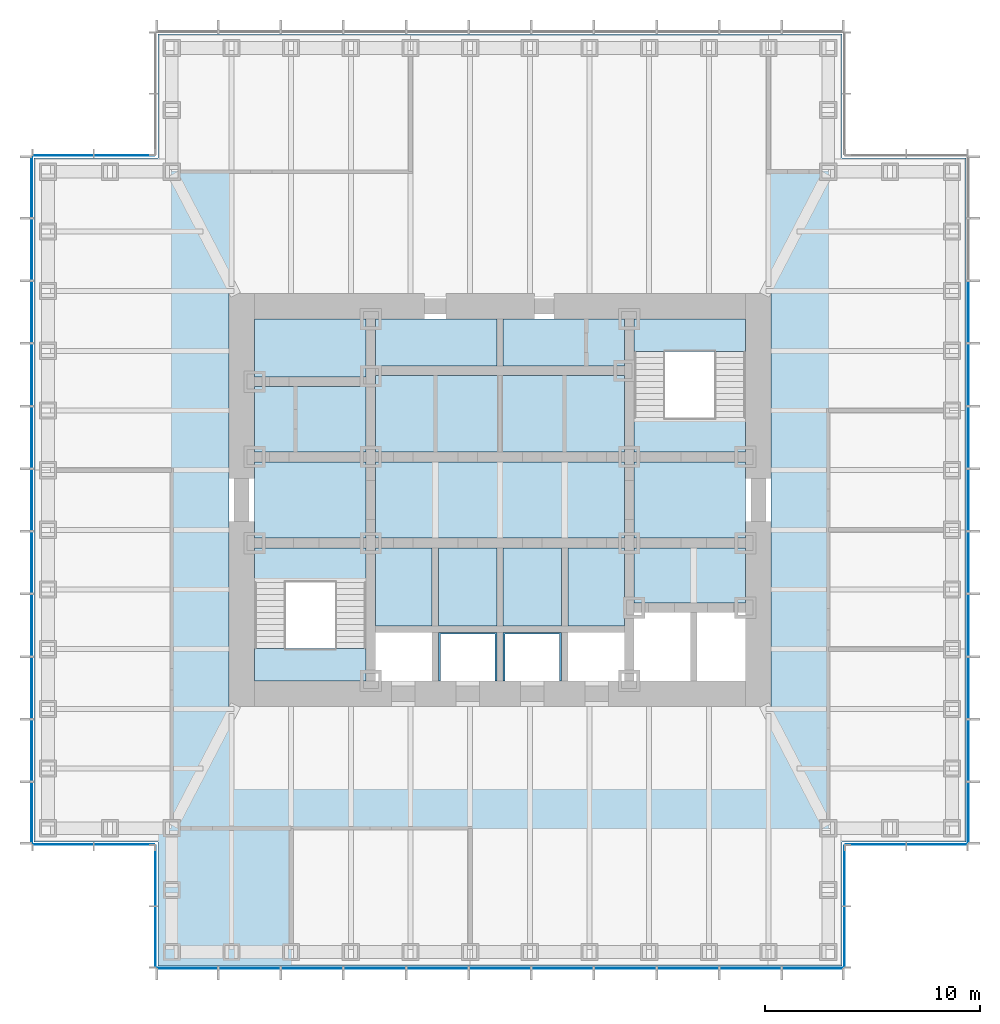
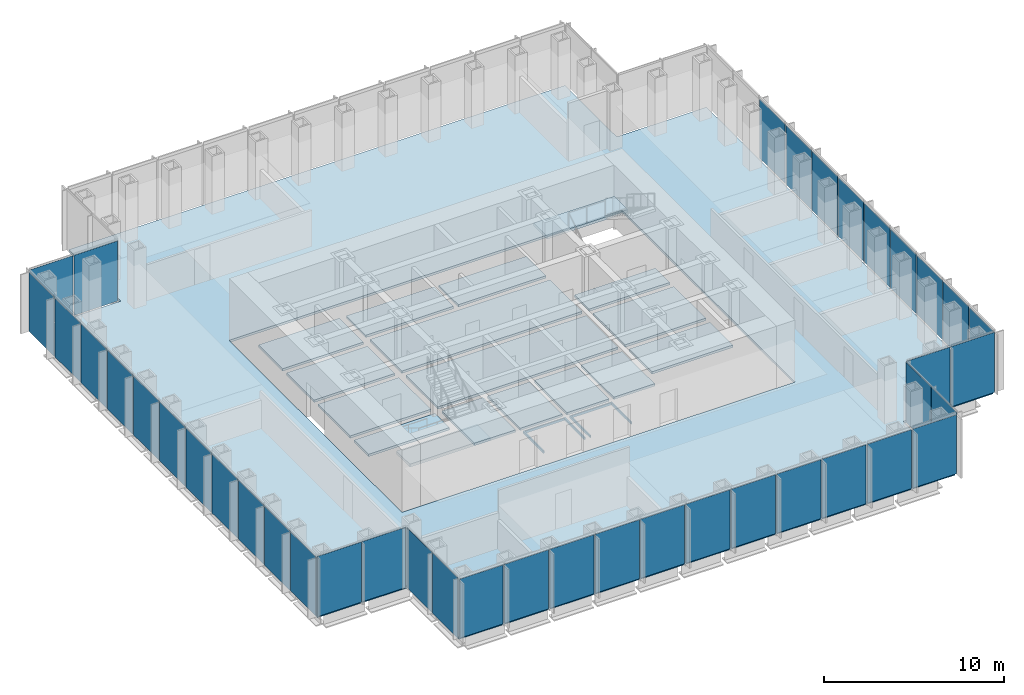
# One storey, part 7 of 16: 41 plates, 20 slabs, 10 elements without a shape of their own.
"""IFC4 building model written with IfcOpenShell, lengths in metres."""

from ifc_helpers import new_model, si_unit, direction, frame, origin, origin_2d, place, context, subcontext, project, spatial, polyline, rectangle, outline, extrude, material, layer, layer_set, type_object, element, aggregate, save


model = new_model("IFC4")

# Units and contexts
model_context = context("Model", 3, precision=1e-05, world=origin(), true_north=direction((0.0, 1.0)))
body_context = subcontext(model_context, "Body", "Model", "MODEL_VIEW")
ifc_project = project(units=[si_unit("LENGTHUNIT", "METRE"), si_unit("AREAUNIT", "SQUARE_METRE"), si_unit("VOLUMEUNIT", "CUBIC_METRE"), si_unit("PLANEANGLEUNIT", "RADIAN"), si_unit("MASSUNIT", "GRAM", prefix="KILO")], contexts=[model_context])

# Site, building, storey
site_placement = place(None, origin())
site = spatial("IfcSite", under=ifc_project, at=site_placement, CompositionType="ELEMENT")
building_placement = place(site_placement, origin())
building = spatial("IfcBuilding", under=site, at=building_placement, Name="Daluyong Arena Tower", CompositionType="ELEMENT")
storey_placement = place(building_placement, frame((0.0, 0.0, 275.5)))
storey = spatial("IfcBuildingStorey", under=building, at=storey_placement, Name="L62", CompositionType="ELEMENT", Elevation=275.5)

# Curtain wall, plates
ifc_material_1 = material(Name="Bronze anodised aluminium and glass", Category="aluminium")
curtain_wall_type_1 = type_object("IfcCurtainWallType", Name="Curtain wall CW4", PredefinedType="USERDEFINED", material=ifc_material_1)
curtain_wall_1_placement = place(storey_placement, origin())
curtain_wall_1 = element("IfcCurtainWall", 1, at=curtain_wall_1_placement, inside=storey, type_object=curtain_wall_type_1, Name="curtain wall L62 S", ObjectType="UNITISED CURTAIN WALL", PredefinedType="USERDEFINED")
ifc_material_2 = material(Name="Tinted laminated double glazed unit", Category="glass")
ifc_layer_1 = layer(ifc_material_2, 0.035888671875)
ifc_layer_set_1 = layer_set([ifc_layer_1], Name="Tinted laminated double glazed unit")
plate_type_1 = type_object("IfcPlateType", Name="CW4 panel 36", PredefinedType="CURTAIN_PANEL", material=ifc_layer_set_1)
plate_1_placement = place(storey_placement, frame((41.47705078125, 58.25, 0.0), z_axis=(0.0, 0.0, 1.0), x_axis=(1.0, 0.0, 0.0)))
plate_1 = element("IfcPlate", 2, at=plate_1_placement, type_object=plate_type_1, Name="curtain wall L62 S panel 1", PredefinedType="CURTAIN_PANEL", context=body_context, shape_type="SweptSolid", body=[
    extrude(rectangle(XDim=2.774169921875, YDim=0.035888671875, at=origin_2d()), origin(), (0.0, 0.0, 1.0), 4.0),
])
plate_2_placement = place(storey_placement, frame((44.363525390625, 58.25, 0.0), z_axis=(0.0, 0.0, 1.0), x_axis=(1.0, 0.0, 0.0)))
plate_2 = element("IfcPlate", 3, at=plate_2_placement, type_object=plate_type_1, Name="curtain wall L62 S panel 2", PredefinedType="CURTAIN_PANEL", context=body_context, shape_type="SweptSolid", body=[
    extrude(rectangle(XDim=2.819091796875, YDim=0.035888671875, at=origin_2d()), origin(), (0.0, 0.0, 1.0), 4.0),
])
plate_3_placement = place(storey_placement, frame((47.272705078125, 58.25, 0.0), z_axis=(0.0, 0.0, 1.0), x_axis=(1.0, 0.0, 0.0)))
plate_3 = element("IfcPlate", 4, at=plate_3_placement, type_object=plate_type_1, Name="curtain wall L62 S panel 3", PredefinedType="CURTAIN_PANEL", context=body_context, shape_type="SweptSolid", body=[
    extrude(rectangle(XDim=2.819091796875, YDim=0.035888671875, at=origin_2d()), origin(), (0.0, 0.0, 1.0), 4.0),
])
plate_4_placement = place(storey_placement, frame((50.181884765625, 58.25, 0.0), z_axis=(0.0, 0.0, 1.0), x_axis=(1.0, 0.0, 0.0)))
plate_4 = element("IfcPlate", 5, at=plate_4_placement, type_object=plate_type_1, Name="curtain wall L62 S panel 4", PredefinedType="CURTAIN_PANEL", context=body_context, shape_type="SweptSolid", body=[
    extrude(rectangle(XDim=2.819091796875, YDim=0.035888671875, at=origin_2d()), origin(), (0.0, 0.0, 1.0), 4.0),
])
plate_5_placement = place(storey_placement, frame((53.0908203125, 58.25, 0.0), z_axis=(0.0, 0.0, 1.0), x_axis=(1.0, 0.0, 0.0)))
plate_5 = element("IfcPlate", 6, at=plate_5_placement, type_object=plate_type_1, Name="curtain wall L62 S panel 5", PredefinedType="CURTAIN_PANEL", context=body_context, shape_type="SweptSolid", body=[
    extrude(rectangle(XDim=2.819091796875, YDim=0.035888671875, at=origin_2d()), origin(), (0.0, 0.0, 1.0), 4.0),
])
plate_6_placement = place(storey_placement, frame((56.0, 58.25, 0.0), z_axis=(0.0, 0.0, 1.0), x_axis=(1.0, 0.0, 0.0)))
plate_6 = element("IfcPlate", 7, at=plate_6_placement, type_object=plate_type_1, Name="curtain wall L62 S panel 6", PredefinedType="CURTAIN_PANEL", context=body_context, shape_type="SweptSolid", body=[
    extrude(rectangle(XDim=2.819091796875, YDim=0.035888671875, at=origin_2d()), origin(), (0.0, 0.0, 1.0), 4.0),
])
plate_7_placement = place(storey_placement, frame((58.9091796875, 58.25, 0.0), z_axis=(0.0, 0.0, 1.0), x_axis=(1.0, 0.0, 0.0)))
plate_7 = element("IfcPlate", 8, at=plate_7_placement, type_object=plate_type_1, Name="curtain wall L62 S panel 7", PredefinedType="CURTAIN_PANEL", context=body_context, shape_type="SweptSolid", body=[
    extrude(rectangle(XDim=2.819091796875, YDim=0.035888671875, at=origin_2d()), origin(), (0.0, 0.0, 1.0), 4.0),
])
plate_8_placement = place(storey_placement, frame((61.818115234375, 58.25, 0.0), z_axis=(0.0, 0.0, 1.0), x_axis=(1.0, 0.0, 0.0)))
plate_8 = element("IfcPlate", 9, at=plate_8_placement, type_object=plate_type_1, Name="curtain wall L62 S panel 8", PredefinedType="CURTAIN_PANEL", context=body_context, shape_type="SweptSolid", body=[
    extrude(rectangle(XDim=2.819091796875, YDim=0.035888671875, at=origin_2d()), origin(), (0.0, 0.0, 1.0), 4.0),
])
plate_9_placement = place(storey_placement, frame((64.727294921875, 58.25, 0.0), z_axis=(0.0, 0.0, 1.0), x_axis=(1.0, 0.0, 0.0)))
plate_9 = element("IfcPlate", 10, at=plate_9_placement, type_object=plate_type_1, Name="curtain wall L62 S panel 9", PredefinedType="CURTAIN_PANEL", context=body_context, shape_type="SweptSolid", body=[
    extrude(rectangle(XDim=2.819091796875, YDim=0.035888671875, at=origin_2d()), origin(), (0.0, 0.0, 1.0), 4.0),
])
plate_10_placement = place(storey_placement, frame((67.636474609375, 58.25, 0.0), z_axis=(0.0, 0.0, 1.0), x_axis=(1.0, 0.0, 0.0)))
plate_10 = element("IfcPlate", 11, at=plate_10_placement, type_object=plate_type_1, Name="curtain wall L62 S panel 10", PredefinedType="CURTAIN_PANEL", context=body_context, shape_type="SweptSolid", body=[
    extrude(rectangle(XDim=2.819091796875, YDim=0.035888671875, at=origin_2d()), origin(), (0.0, 0.0, 1.0), 4.0),
])
plate_11_placement = place(storey_placement, frame((70.52294921875, 58.25, 0.0), z_axis=(0.0, 0.0, 1.0), x_axis=(1.0, 0.0, 0.0)))
plate_11 = element("IfcPlate", 12, at=plate_11_placement, type_object=plate_type_1, Name="curtain wall L62 S panel 11", PredefinedType="CURTAIN_PANEL", context=body_context, shape_type="SweptSolid", body=[
    extrude(rectangle(XDim=2.774169921875, YDim=0.035888671875, at=origin_2d()), origin(), (0.0, 0.0, 1.0), 4.0),
])
aggregate(curtain_wall_1, [plate_1, plate_2, plate_3, plate_4, plate_5, plate_6, plate_7, plate_8, plate_9, plate_10, plate_11])

curtain_wall_2_placement = place(storey_placement, origin())
curtain_wall_2 = element("IfcCurtainWall", 13, at=curtain_wall_2_placement, inside=storey, type_object=curtain_wall_type_1, Name="curtain wall L62 E", ObjectType="UNITISED CURTAIN WALL", PredefinedType="USERDEFINED")
plate_12_placement = place(storey_placement, frame((77.75, 65.47705078125, 0.0), z_axis=(0.0, 0.0, 1.0), x_axis=(0.0, 1.0, 0.0)))
plate_12 = element("IfcPlate", 14, at=plate_12_placement, type_object=plate_type_1, Name="curtain wall L62 E panel 1", PredefinedType="CURTAIN_PANEL", context=body_context, shape_type="SweptSolid", body=[
    extrude(rectangle(XDim=2.774169921875, YDim=0.035888671875, at=origin_2d()), origin(), (0.0, 0.0, 1.0), 4.0),
])
plate_13_placement = place(storey_placement, frame((77.75, 68.363525390625, 0.0), z_axis=(0.0, 0.0, 1.0), x_axis=(0.0, 1.0, 0.0)))
plate_13 = element("IfcPlate", 15, at=plate_13_placement, type_object=plate_type_1, Name="curtain wall L62 E panel 2", PredefinedType="CURTAIN_PANEL", context=body_context, shape_type="SweptSolid", body=[
    extrude(rectangle(XDim=2.819091796875, YDim=0.035888671875, at=origin_2d()), origin(), (0.0, 0.0, 1.0), 4.0),
])
plate_14_placement = place(storey_placement, frame((77.75, 71.272705078125, 0.0), z_axis=(0.0, 0.0, 1.0), x_axis=(0.0, 1.0, 0.0)))
plate_14 = element("IfcPlate", 16, at=plate_14_placement, type_object=plate_type_1, Name="curtain wall L62 E panel 3", PredefinedType="CURTAIN_PANEL", context=body_context, shape_type="SweptSolid", body=[
    extrude(rectangle(XDim=2.819091796875, YDim=0.035888671875, at=origin_2d()), origin(), (0.0, 0.0, 1.0), 4.0),
])
plate_15_placement = place(storey_placement, frame((77.75, 74.181884765625, 0.0), z_axis=(0.0, 0.0, 1.0), x_axis=(0.0, 1.0, 0.0)))
plate_15 = element("IfcPlate", 17, at=plate_15_placement, type_object=plate_type_1, Name="curtain wall L62 E panel 4", PredefinedType="CURTAIN_PANEL", context=body_context, shape_type="SweptSolid", body=[
    extrude(rectangle(XDim=2.819091796875, YDim=0.035888671875, at=origin_2d()), origin(), (0.0, 0.0, 1.0), 4.0),
])
plate_16_placement = place(storey_placement, frame((77.75, 77.0908203125, 0.0), z_axis=(0.0, 0.0, 1.0), x_axis=(0.0, 1.0, 0.0)))
plate_16 = element("IfcPlate", 18, at=plate_16_placement, type_object=plate_type_1, Name="curtain wall L62 E panel 5", PredefinedType="CURTAIN_PANEL", context=body_context, shape_type="SweptSolid", body=[
    extrude(rectangle(XDim=2.819091796875, YDim=0.035888671875, at=origin_2d()), origin(), (0.0, 0.0, 1.0), 4.0),
])
plate_17_placement = place(storey_placement, frame((77.75, 80.0, 0.0), z_axis=(0.0, 0.0, 1.0), x_axis=(0.0, 1.0, 0.0)))
plate_17 = element("IfcPlate", 19, at=plate_17_placement, type_object=plate_type_1, Name="curtain wall L62 E panel 6", PredefinedType="CURTAIN_PANEL", context=body_context, shape_type="SweptSolid", body=[
    extrude(rectangle(XDim=2.819091796875, YDim=0.035888671875, at=origin_2d()), origin(), (0.0, 0.0, 1.0), 4.0),
])
plate_18_placement = place(storey_placement, frame((77.75, 82.9091796875, 0.0), z_axis=(0.0, 0.0, 1.0), x_axis=(0.0, 1.0, 0.0)))
plate_18 = element("IfcPlate", 20, at=plate_18_placement, type_object=plate_type_1, Name="curtain wall L62 E panel 7", PredefinedType="CURTAIN_PANEL", context=body_context, shape_type="SweptSolid", body=[
    extrude(rectangle(XDim=2.819091796875, YDim=0.035888671875, at=origin_2d()), origin(), (0.0, 0.0, 1.0), 4.0),
])
plate_19_placement = place(storey_placement, frame((77.75, 85.818115234375, 0.0), z_axis=(0.0, 0.0, 1.0), x_axis=(0.0, 1.0, 0.0)))
plate_19 = element("IfcPlate", 21, at=plate_19_placement, type_object=plate_type_1, Name="curtain wall L62 E panel 8", PredefinedType="CURTAIN_PANEL", context=body_context, shape_type="SweptSolid", body=[
    extrude(rectangle(XDim=2.819091796875, YDim=0.035888671875, at=origin_2d()), origin(), (0.0, 0.0, 1.0), 4.0),
])
plate_20_placement = place(storey_placement, frame((77.75, 88.727294921875, 0.0), z_axis=(0.0, 0.0, 1.0), x_axis=(0.0, 1.0, 0.0)))
plate_20 = element("IfcPlate", 22, at=plate_20_placement, type_object=plate_type_1, Name="curtain wall L62 E panel 9", PredefinedType="CURTAIN_PANEL", context=body_context, shape_type="SweptSolid", body=[
    extrude(rectangle(XDim=2.819091796875, YDim=0.035888671875, at=origin_2d()), origin(), (0.0, 0.0, 1.0), 4.0),
])
aggregate(curtain_wall_2, [plate_12, plate_13, plate_14, plate_15, plate_16, plate_17, plate_18, plate_19, plate_20])

curtain_wall_3_placement = place(storey_placement, origin())
curtain_wall_3 = element("IfcCurtainWall", 23, at=curtain_wall_3_placement, inside=storey, type_object=curtain_wall_type_1, Name="curtain wall L62 W", ObjectType="UNITISED CURTAIN WALL", PredefinedType="USERDEFINED")
plate_21_placement = place(storey_placement, frame((34.25, 94.52294921875, 0.0), z_axis=(0.0, 0.0, 1.0), x_axis=(0.0, -1.0, 0.0)))
plate_21 = element("IfcPlate", 24, at=plate_21_placement, type_object=plate_type_1, Name="curtain wall L62 W panel 1", PredefinedType="CURTAIN_PANEL", context=body_context, shape_type="SweptSolid", body=[
    extrude(rectangle(XDim=2.774169921875, YDim=0.035888671875, at=origin_2d()), origin(), (0.0, 0.0, 1.0), 4.0),
])
plate_22_placement = place(storey_placement, frame((34.25, 91.636474609375, 0.0), z_axis=(0.0, 0.0, 1.0), x_axis=(0.0, -1.0, 0.0)))
plate_22 = element("IfcPlate", 25, at=plate_22_placement, type_object=plate_type_1, Name="curtain wall L62 W panel 2", PredefinedType="CURTAIN_PANEL", context=body_context, shape_type="SweptSolid", body=[
    extrude(rectangle(XDim=2.819091796875, YDim=0.035888671875, at=origin_2d()), origin(), (0.0, 0.0, 1.0), 4.0),
])
plate_23_placement = place(storey_placement, frame((34.25, 88.727294921875, 0.0), z_axis=(0.0, 0.0, 1.0), x_axis=(0.0, -1.0, 0.0)))
plate_23 = element("IfcPlate", 26, at=plate_23_placement, type_object=plate_type_1, Name="curtain wall L62 W panel 3", PredefinedType="CURTAIN_PANEL", context=body_context, shape_type="SweptSolid", body=[
    extrude(rectangle(XDim=2.819091796875, YDim=0.035888671875, at=origin_2d()), origin(), (0.0, 0.0, 1.0), 4.0),
])
plate_24_placement = place(storey_placement, frame((34.25, 85.818115234375, 0.0), z_axis=(0.0, 0.0, 1.0), x_axis=(0.0, -1.0, 0.0)))
plate_24 = element("IfcPlate", 27, at=plate_24_placement, type_object=plate_type_1, Name="curtain wall L62 W panel 4", PredefinedType="CURTAIN_PANEL", context=body_context, shape_type="SweptSolid", body=[
    extrude(rectangle(XDim=2.819091796875, YDim=0.035888671875, at=origin_2d()), origin(), (0.0, 0.0, 1.0), 4.0),
])
plate_25_placement = place(storey_placement, frame((34.25, 82.9091796875, 0.0), z_axis=(0.0, 0.0, 1.0), x_axis=(0.0, -1.0, 0.0)))
plate_25 = element("IfcPlate", 28, at=plate_25_placement, type_object=plate_type_1, Name="curtain wall L62 W panel 5", PredefinedType="CURTAIN_PANEL", context=body_context, shape_type="SweptSolid", body=[
    extrude(rectangle(XDim=2.819091796875, YDim=0.035888671875, at=origin_2d()), origin(), (0.0, 0.0, 1.0), 4.0),
])
plate_26_placement = place(storey_placement, frame((34.25, 80.0, 0.0), z_axis=(0.0, 0.0, 1.0), x_axis=(0.0, -1.0, 0.0)))
plate_26 = element("IfcPlate", 29, at=plate_26_placement, type_object=plate_type_1, Name="curtain wall L62 W panel 6", PredefinedType="CURTAIN_PANEL", context=body_context, shape_type="SweptSolid", body=[
    extrude(rectangle(XDim=2.819091796875, YDim=0.035888671875, at=origin_2d()), origin(), (0.0, 0.0, 1.0), 4.0),
])
plate_27_placement = place(storey_placement, frame((34.25, 77.0908203125, 0.0), z_axis=(0.0, 0.0, 1.0), x_axis=(0.0, -1.0, 0.0)))
plate_27 = element("IfcPlate", 30, at=plate_27_placement, type_object=plate_type_1, Name="curtain wall L62 W panel 7", PredefinedType="CURTAIN_PANEL", context=body_context, shape_type="SweptSolid", body=[
    extrude(rectangle(XDim=2.819091796875, YDim=0.035888671875, at=origin_2d()), origin(), (0.0, 0.0, 1.0), 4.0),
])
plate_28_placement = place(storey_placement, frame((34.25, 74.181884765625, 0.0), z_axis=(0.0, 0.0, 1.0), x_axis=(0.0, -1.0, 0.0)))
plate_28 = element("IfcPlate", 31, at=plate_28_placement, type_object=plate_type_1, Name="curtain wall L62 W panel 8", PredefinedType="CURTAIN_PANEL", context=body_context, shape_type="SweptSolid", body=[
    extrude(rectangle(XDim=2.819091796875, YDim=0.035888671875, at=origin_2d()), origin(), (0.0, 0.0, 1.0), 4.0),
])
plate_29_placement = place(storey_placement, frame((34.25, 71.272705078125, 0.0), z_axis=(0.0, 0.0, 1.0), x_axis=(0.0, -1.0, 0.0)))
plate_29 = element("IfcPlate", 32, at=plate_29_placement, type_object=plate_type_1, Name="curtain wall L62 W panel 9", PredefinedType="CURTAIN_PANEL", context=body_context, shape_type="SweptSolid", body=[
    extrude(rectangle(XDim=2.819091796875, YDim=0.035888671875, at=origin_2d()), origin(), (0.0, 0.0, 1.0), 4.0),
])
plate_30_placement = place(storey_placement, frame((34.25, 68.363525390625, 0.0), z_axis=(0.0, 0.0, 1.0), x_axis=(0.0, -1.0, 0.0)))
plate_30 = element("IfcPlate", 33, at=plate_30_placement, type_object=plate_type_1, Name="curtain wall L62 W panel 10", PredefinedType="CURTAIN_PANEL", context=body_context, shape_type="SweptSolid", body=[
    extrude(rectangle(XDim=2.819091796875, YDim=0.035888671875, at=origin_2d()), origin(), (0.0, 0.0, 1.0), 4.0),
])
plate_31_placement = place(storey_placement, frame((34.25, 65.47705078125, 0.0), z_axis=(0.0, 0.0, 1.0), x_axis=(0.0, -1.0, 0.0)))
plate_31 = element("IfcPlate", 34, at=plate_31_placement, type_object=plate_type_1, Name="curtain wall L62 W panel 11", PredefinedType="CURTAIN_PANEL", context=body_context, shape_type="SweptSolid", body=[
    extrude(rectangle(XDim=2.774169921875, YDim=0.035888671875, at=origin_2d()), origin(), (0.0, 0.0, 1.0), 4.0),
])
aggregate(curtain_wall_3, [plate_21, plate_22, plate_23, plate_24, plate_25, plate_26, plate_27, plate_28, plate_29, plate_30, plate_31])

ifc_material_3 = material(Name="Bronze anodised aluminium and glass", Category="aluminium")
curtain_wall_type_2 = type_object("IfcCurtainWallType", Name="Curtain wall CW7", PredefinedType="USERDEFINED", material=ifc_material_3)
curtain_wall_4_placement = place(storey_placement, origin())
curtain_wall_4 = element("IfcCurtainWall", 35, at=curtain_wall_4_placement, inside=storey, type_object=curtain_wall_type_2, Name="curtain wall L62 SE-E", ObjectType="UNITISED CURTAIN WALL", PredefinedType="USERDEFINED")
ifc_material_4 = material(Name="Tinted double glazed unit", Category="glass")
ifc_layer_2 = layer(ifc_material_4, 0.028076171875)
ifc_layer_set_2 = layer_set([ifc_layer_2], Name="Tinted double glazed unit")
plate_type_2 = type_object("IfcPlateType", Name="CW7 panel 28", PredefinedType="CURTAIN_PANEL", material=ifc_layer_set_2)
plate_32_placement = place(storey_placement, frame((72.0, 59.702392578125, 0.0), z_axis=(0.0, 0.0, 1.0), x_axis=(0.0, 1.0, 0.0)))
plate_32 = element("IfcPlate", 36, at=plate_32_placement, type_object=plate_type_2, Name="curtain wall L62 SE-E panel 1", PredefinedType="CURTAIN_PANEL", context=body_context, shape_type="SweptSolid", body=[
    extrude(rectangle(XDim=2.784912109375, YDim=0.028076171875, at=origin_2d()), origin(), (0.0, 0.0, 1.0), 4.080078125),
])
plate_33_placement = place(storey_placement, frame((72.0, 62.547607421875, 0.0), z_axis=(0.0, 0.0, 1.0), x_axis=(0.0, 1.0, 0.0)))
plate_33 = element("IfcPlate", 37, at=plate_33_placement, type_object=plate_type_2, Name="curtain wall L62 SE-E panel 2", PredefinedType="CURTAIN_PANEL", context=body_context, shape_type="SweptSolid", body=[
    extrude(rectangle(XDim=2.784912109375, YDim=0.028076171875, at=origin_2d()), origin(), (0.0, 0.0, 1.0), 4.080078125),
])
aggregate(curtain_wall_4, [plate_32, plate_33])

curtain_wall_5_placement = place(storey_placement, origin())
curtain_wall_5 = element("IfcCurtainWall", 38, at=curtain_wall_5_placement, inside=storey, type_object=curtain_wall_type_2, Name="curtain wall L62 SE-S", ObjectType="UNITISED CURTAIN WALL", PredefinedType="USERDEFINED")
plate_34_placement = place(storey_placement, frame((73.452392578125, 64.0, 0.0), z_axis=(0.0, 0.0, 1.0), x_axis=(1.0, 0.0, 0.0)))
plate_34 = element("IfcPlate", 39, at=plate_34_placement, type_object=plate_type_2, Name="curtain wall L62 SE-S panel 1", PredefinedType="CURTAIN_PANEL", context=body_context, shape_type="SweptSolid", body=[
    extrude(rectangle(XDim=2.784912109375, YDim=0.028076171875, at=origin_2d()), origin(), (0.0, 0.0, 1.0), 4.080078125),
])
plate_35_placement = place(storey_placement, frame((76.297607421875, 64.0, 0.0), z_axis=(0.0, 0.0, 1.0), x_axis=(1.0, 0.0, 0.0)))
plate_35 = element("IfcPlate", 40, at=plate_35_placement, type_object=plate_type_2, Name="curtain wall L62 SE-S panel 2", PredefinedType="CURTAIN_PANEL", context=body_context, shape_type="SweptSolid", body=[
    extrude(rectangle(XDim=2.784912109375, YDim=0.028076171875, at=origin_2d()), origin(), (0.0, 0.0, 1.0), 4.080078125),
])
aggregate(curtain_wall_5, [plate_34, plate_35])

curtain_wall_6_placement = place(storey_placement, origin())
curtain_wall_6 = element("IfcCurtainWall", 41, at=curtain_wall_6_placement, inside=storey, type_object=curtain_wall_type_2, Name="curtain wall L62 NW-N", ObjectType="UNITISED CURTAIN WALL", PredefinedType="USERDEFINED")
plate_36_placement = place(storey_placement, frame((38.547607421875, 96.0, 0.0), z_axis=(0.0, 0.0, 1.0), x_axis=(-1.0, 0.0, 0.0)))
plate_36 = element("IfcPlate", 42, at=plate_36_placement, type_object=plate_type_2, Name="curtain wall L62 NW-N panel 1", PredefinedType="CURTAIN_PANEL", context=body_context, shape_type="SweptSolid", body=[
    extrude(rectangle(XDim=2.784912109375, YDim=0.028076171875, at=origin_2d()), origin(), (0.0, 0.0, 1.0), 4.080078125),
])
plate_37_placement = place(storey_placement, frame((35.702392578125, 96.0, 0.0), z_axis=(0.0, 0.0, 1.0), x_axis=(-1.0, 0.0, 0.0)))
plate_37 = element("IfcPlate", 43, at=plate_37_placement, type_object=plate_type_2, Name="curtain wall L62 NW-N panel 2", PredefinedType="CURTAIN_PANEL", context=body_context, shape_type="SweptSolid", body=[
    extrude(rectangle(XDim=2.784912109375, YDim=0.028076171875, at=origin_2d()), origin(), (0.0, 0.0, 1.0), 4.080078125),
])
aggregate(curtain_wall_6, [plate_36, plate_37])

curtain_wall_7_placement = place(storey_placement, origin())
curtain_wall_7 = element("IfcCurtainWall", 44, at=curtain_wall_7_placement, inside=storey, type_object=curtain_wall_type_2, Name="curtain wall L62 SW-S", ObjectType="UNITISED CURTAIN WALL", PredefinedType="USERDEFINED")
plate_38_placement = place(storey_placement, frame((35.702392578125, 64.0, 0.0), z_axis=(0.0, 0.0, 1.0), x_axis=(1.0, 0.0, 0.0)))
plate_38 = element("IfcPlate", 45, at=plate_38_placement, type_object=plate_type_2, Name="curtain wall L62 SW-S panel 1", PredefinedType="CURTAIN_PANEL", context=body_context, shape_type="SweptSolid", body=[
    extrude(rectangle(XDim=2.784912109375, YDim=0.028076171875, at=origin_2d()), origin(), (0.0, 0.0, 1.0), 4.080078125),
])
plate_39_placement = place(storey_placement, frame((38.547607421875, 64.0, 0.0), z_axis=(0.0, 0.0, 1.0), x_axis=(1.0, 0.0, 0.0)))
plate_39 = element("IfcPlate", 46, at=plate_39_placement, type_object=plate_type_2, Name="curtain wall L62 SW-S panel 2", PredefinedType="CURTAIN_PANEL", context=body_context, shape_type="SweptSolid", body=[
    extrude(rectangle(XDim=2.784912109375, YDim=0.028076171875, at=origin_2d()), origin(), (0.0, 0.0, 1.0), 4.080078125),
])
aggregate(curtain_wall_7, [plate_38, plate_39])

curtain_wall_8_placement = place(storey_placement, origin())
curtain_wall_8 = element("IfcCurtainWall", 47, at=curtain_wall_8_placement, inside=storey, type_object=curtain_wall_type_2, Name="curtain wall L62 SW-W", ObjectType="UNITISED CURTAIN WALL", PredefinedType="USERDEFINED")
plate_40_placement = place(storey_placement, frame((40.0, 62.547607421875, 0.0), z_axis=(0.0, 0.0, 1.0), x_axis=(0.0, -1.0, 0.0)))
plate_40 = element("IfcPlate", 48, at=plate_40_placement, type_object=plate_type_2, Name="curtain wall L62 SW-W panel 1", PredefinedType="CURTAIN_PANEL", context=body_context, shape_type="SweptSolid", body=[
    extrude(rectangle(XDim=2.784912109375, YDim=0.028076171875, at=origin_2d()), origin(), (0.0, 0.0, 1.0), 4.080078125),
])
plate_41_placement = place(storey_placement, frame((40.0, 59.702392578125, 0.0), z_axis=(0.0, 0.0, 1.0), x_axis=(0.0, -1.0, 0.0)))
plate_41 = element("IfcPlate", 49, at=plate_41_placement, type_object=plate_type_2, Name="curtain wall L62 SW-W panel 2", PredefinedType="CURTAIN_PANEL", context=body_context, shape_type="SweptSolid", body=[
    extrude(rectangle(XDim=2.784912109375, YDim=0.028076171875, at=origin_2d()), origin(), (0.0, 0.0, 1.0), 4.080078125),
])
aggregate(curtain_wall_8, [plate_40, plate_41])

# Stair, slab
ifc_material_5 = material(Name="Concrete fc' 35 MPa", Category="concrete")
stair_type = type_object("IfcStairType", Name="Core exit stair", PredefinedType="HALF_TURN_STAIR", material=ifc_material_5)
stair_1_placement = place(storey_placement, origin())
stair_1 = element("IfcStair", 50, at=stair_1_placement, inside=storey, type_object=stair_type, Name="exit stair A L62", PredefinedType="HALF_TURN_STAIR")
ifc_material_6 = material(Name="Concrete fc' 35 MPa", Category="concrete")
ifc_layer_3 = layer(ifc_material_6, 0.199951171875)
ifc_layer_set_3 = layer_set([ifc_layer_3], Name="Concrete fc' 35 MPa")
slab_type_1 = type_object("IfcSlabType", Name="Stair landing 200", PredefinedType="LANDING", material=ifc_layer_set_3)
slab_1_placement = place(storey_placement, frame((0.0, 0.0, 1.89990234375)))
slab_1 = element("IfcSlab", 51, at=slab_1_placement, type_object=slab_type_1, Name="STA landing 1", PredefinedType="LANDING", context=body_context, shape_type="SweptSolid", body=[
    extrude(outline(polyline([(44.60009765625, 71.60009765625), (49.77490234375, 71.60009765625), (49.77490234375, 73.094970703125), (44.60009765625, 73.094970703125), (44.60009765625, 71.60009765625)])), origin(), (0.0, 0.0, 1.0), 0.2001953125),
])
aggregate(stair_1, [slab_1])

stair_2_placement = place(storey_placement, origin())
stair_2 = element("IfcStair", 52, at=stair_2_placement, inside=storey, type_object=stair_type, Name="exit stair B L62", PredefinedType="HALF_TURN_STAIR")
slab_2_placement = place(storey_placement, frame((0.0, 0.0, 1.89990234375)))
slab_2 = element("IfcSlab", 53, at=slab_2_placement, type_object=slab_type_1, Name="STB landing 1", PredefinedType="LANDING", context=body_context, shape_type="SweptSolid", body=[
    extrude(outline(polyline([(62.22509765625, 86.905029296875), (67.39990234375, 86.905029296875), (67.39990234375, 88.39990234375), (62.22509765625, 88.39990234375), (62.22509765625, 86.905029296875)])), origin(), (0.0, 0.0, 1.0), 0.2001953125),
])
aggregate(stair_2, [slab_2])

# Slabs
ifc_material_7 = material(Name="Concrete fc' 35 MPa", Category="concrete")
ifc_layer_4 = layer(ifc_material_7, 0.159912109375)
ifc_layer_set_4 = layer_set([ifc_layer_4], Name="Concrete fc' 35 MPa")
slab_type_2 = type_object("IfcSlabType", Name="Tower floor slab 160", PredefinedType="FLOOR", material=ifc_layer_set_4)
slab_3_placement = place(storey_placement, frame((0.0, 0.0, -0.159912109375)))
element("IfcSlab", 54, at=slab_3_placement, inside=storey, type_object=slab_type_2, Name="floor L62 part 1", PredefinedType="FLOOR", context=body_context, shape_type="SweptSolid", body=[
    extrude(outline(polyline([(49.77490234375, 77.77490234375), (44.60009765625, 77.77490234375), (44.60009765625, 76.175048828125), (49.77490234375, 76.175048828125), (49.77490234375, 77.77490234375)])), origin(), (0.0, 0.0, 1.0), 0.159912109375),
])
slab_4_placement = place(storey_placement, frame((0.0, 0.0, -0.159912109375)))
element("IfcSlab", 55, at=slab_4_placement, inside=storey, type_object=slab_type_2, Name="floor L62 part 2", PredefinedType="FLOOR", context=body_context, shape_type="SweptSolid", body=[
    extrude(outline(polyline([(49.77490234375, 78.22509765625), (49.77490234375, 81.77490234375), (44.60009765625, 81.77490234375), (44.60009765625, 78.22509765625), (49.77490234375, 78.22509765625)])), origin(), (0.0, 0.0, 1.0), 0.159912109375),
])
slab_5_placement = place(storey_placement, frame((0.0, 0.0, -0.159912109375)))
element("IfcSlab", 56, at=slab_5_placement, inside=storey, type_object=slab_type_2, Name="floor L62 part 3", PredefinedType="FLOOR", context=body_context, shape_type="SweptSolid", body=[
    extrude(outline(polyline([(44.60009765625, 85.27490234375), (44.60009765625, 82.22509765625), (49.77490234375, 82.22509765625), (49.77490234375, 85.27490234375), (44.60009765625, 85.27490234375)])), origin(), (0.0, 0.0, 1.0), 0.159912109375),
])
slab_6_placement = place(storey_placement, frame((0.0, 0.0, -0.159912109375)))
element("IfcSlab", 57, at=slab_6_placement, inside=storey, type_object=slab_type_2, Name="floor L62 part 4", PredefinedType="FLOOR", context=body_context, shape_type="SweptSolid", body=[
    extrude(outline(polyline([(44.60009765625, 88.39990234375), (44.60009765625, 85.72509765625), (49.77490234375, 85.72509765625), (49.77490234375, 88.39990234375), (44.60009765625, 88.39990234375)])), origin(), (0.0, 0.0, 1.0), 0.159912109375),
])
slab_7_placement = place(storey_placement, frame((0.0, 0.0, -0.159912109375)))
element("IfcSlab", 58, at=slab_7_placement, inside=storey, type_object=slab_type_2, Name="floor L62 part 5", PredefinedType="FLOOR", context=body_context, shape_type="SweptSolid", body=[
    extrude(outline(polyline([(52.85009765625, 74.14990234375), (52.85009765625, 77.77490234375), (50.22509765625, 77.77490234375), (50.22509765625, 74.14990234375), (52.85009765625, 74.14990234375)])), origin(), (0.0, 0.0, 1.0), 0.159912109375),
])
slab_8_placement = place(storey_placement, frame((0.0, 0.0, -0.159912109375)))
element("IfcSlab", 59, at=slab_8_placement, inside=storey, type_object=slab_type_2, Name="floor L62 part 6", PredefinedType="FLOOR", context=body_context, shape_type="SweptSolid", body=[
    extrude(outline(polyline([(50.22509765625, 88.39990234375), (50.22509765625, 86.22509765625), (55.85009765625, 86.22509765625), (55.85009765625, 88.39990234375), (50.22509765625, 88.39990234375)])), origin(), (0.0, 0.0, 1.0), 0.159912109375),
])
slab_9_placement = place(storey_placement, frame((0.0, 0.0, -0.159912109375)))
element("IfcSlab", 60, at=slab_9_placement, inside=storey, type_object=slab_type_2, Name="floor L62 part 7", PredefinedType="FLOOR", context=body_context, shape_type="SweptSolid", body=[
    extrude(outline(polyline([(53.22509765625, 71.60009765625), (53.22509765625, 73.77490234375), (55.77490234375, 73.77490234375), (55.77490234375, 71.60009765625), (55.85009765625, 71.60009765625), (55.85009765625, 73.85009765625), (53.14990234375, 73.85009765625), (53.14990234375, 71.60009765625), (53.22509765625, 71.60009765625)])), origin(), (0.0, 0.0, 1.0), 0.159912109375),
])
slab_10_placement = place(storey_placement, frame((0.0, 0.0, -0.159912109375)))
element("IfcSlab", 61, at=slab_10_placement, inside=storey, type_object=slab_type_2, Name="floor L62 part 8", PredefinedType="FLOOR", context=body_context, shape_type="SweptSolid", body=[
    extrude(outline(polyline([(53.14990234375, 74.14990234375), (55.85009765625, 74.14990234375), (55.85009765625, 77.77490234375), (53.14990234375, 77.77490234375), (53.14990234375, 74.14990234375)])), origin(), (0.0, 0.0, 1.0), 0.159912109375),
])
slab_11_placement = place(storey_placement, frame((0.0, 0.0, -0.159912109375)))
element("IfcSlab", 62, at=slab_11_placement, inside=storey, type_object=slab_type_2, Name="floor L62 part 9", PredefinedType="FLOOR", context=body_context, shape_type="SweptSolid", body=[
    extrude(outline(polyline([(40.10009765625, 64.10009765625), (40.10009765625, 58.35009765625), (71.89990234375, 58.35009765625), (71.89990234375, 64.10009765625), (77.64990234375, 64.10009765625), (77.64990234375, 95.89990234375), (71.89990234375, 95.89990234375), (71.89990234375, 101.64990234375), (40.10009765625, 101.64990234375), (40.10009765625, 95.89990234375), (34.35009765625, 95.89990234375), (34.35009765625, 64.10009765625), (40.10009765625, 64.10009765625)]), holes=[polyline([(68.60009765625, 89.60009765625), (68.60009765625, 70.39990234375), (43.39990234375, 70.39990234375), (43.39990234375, 89.60009765625), (68.60009765625, 89.60009765625)])]), origin(), (0.0, 0.0, 1.0), 0.159912109375),
])
slab_12_placement = place(storey_placement, frame((0.0, 0.0, -0.159912109375)))
element("IfcSlab", 63, at=slab_12_placement, inside=storey, type_object=slab_type_2, Name="floor L62 part 10", PredefinedType="FLOOR", context=body_context, shape_type="SweptSolid", body=[
    extrude(outline(polyline([(50.22509765625, 81.77490234375), (50.22509765625, 78.22509765625), (61.77490234375, 78.22509765625), (61.77490234375, 81.77490234375), (50.22509765625, 81.77490234375)])), origin(), (0.0, 0.0, 1.0), 0.159912109375),
])
slab_13_placement = place(storey_placement, frame((0.0, 0.0, -0.159912109375)))
element("IfcSlab", 64, at=slab_13_placement, inside=storey, type_object=slab_type_2, Name="floor L62 part 11", PredefinedType="FLOOR", context=body_context, shape_type="SweptSolid", body=[
    extrude(outline(polyline([(50.22509765625, 85.77490234375), (50.22509765625, 82.22509765625), (61.77490234375, 82.22509765625), (61.77490234375, 85.77490234375), (50.22509765625, 85.77490234375)])), origin(), (0.0, 0.0, 1.0), 0.159912109375),
])
slab_14_placement = place(storey_placement, frame((0.0, 0.0, -0.159912109375)))
element("IfcSlab", 65, at=slab_14_placement, inside=storey, type_object=slab_type_2, Name="floor L62 part 12", PredefinedType="FLOOR", context=body_context, shape_type="SweptSolid", body=[
    extrude(outline(polyline([(56.22509765625, 71.60009765625), (56.22509765625, 73.77490234375), (58.77490234375, 73.77490234375), (58.77490234375, 71.60009765625), (58.85009765625, 71.60009765625), (58.85009765625, 73.85009765625), (56.14990234375, 73.85009765625), (56.14990234375, 71.60009765625), (56.22509765625, 71.60009765625)])), origin(), (0.0, 0.0, 1.0), 0.159912109375),
])
slab_15_placement = place(storey_placement, frame((0.0, 0.0, -0.159912109375)))
element("IfcSlab", 66, at=slab_15_placement, inside=storey, type_object=slab_type_2, Name="floor L62 part 13", PredefinedType="FLOOR", context=body_context, shape_type="SweptSolid", body=[
    extrude(outline(polyline([(58.85009765625, 77.77490234375), (56.14990234375, 77.77490234375), (56.14990234375, 74.14990234375), (58.85009765625, 74.14990234375), (58.85009765625, 77.77490234375)])), origin(), (0.0, 0.0, 1.0), 0.159912109375),
])
slab_16_placement = place(storey_placement, frame((0.0, 0.0, -0.159912109375)))
element("IfcSlab", 67, at=slab_16_placement, inside=storey, type_object=slab_type_2, Name="floor L62 part 14", PredefinedType="FLOOR", context=body_context, shape_type="SweptSolid", body=[
    extrude(outline(polyline([(56.14990234375, 88.39990234375), (56.14990234375, 86.22509765625), (61.77490234375, 86.22509765625), (61.77490234375, 88.39990234375), (56.14990234375, 88.39990234375)])), origin(), (0.0, 0.0, 1.0), 0.159912109375),
])
slab_17_placement = place(storey_placement, frame((0.0, 0.0, -0.159912109375)))
element("IfcSlab", 68, at=slab_17_placement, inside=storey, type_object=slab_type_2, Name="floor L62 part 15", PredefinedType="FLOOR", context=body_context, shape_type="SweptSolid", body=[
    extrude(outline(polyline([(61.77490234375, 77.77490234375), (59.14990234375, 77.77490234375), (59.14990234375, 74.14990234375), (61.77490234375, 74.14990234375), (61.77490234375, 77.77490234375)])), origin(), (0.0, 0.0, 1.0), 0.159912109375),
])
slab_18_placement = place(storey_placement, frame((0.0, 0.0, -0.159912109375)))
element("IfcSlab", 69, at=slab_18_placement, inside=storey, type_object=slab_type_2, Name="floor L62 part 16", PredefinedType="FLOOR", context=body_context, shape_type="SweptSolid", body=[
    extrude(outline(polyline([(67.39990234375, 75.22509765625), (67.39990234375, 77.77490234375), (62.22509765625, 77.77490234375), (62.22509765625, 75.22509765625), (67.39990234375, 75.22509765625)])), origin(), (0.0, 0.0, 1.0), 0.159912109375),
])
slab_19_placement = place(storey_placement, frame((0.0, 0.0, -0.159912109375)))
element("IfcSlab", 70, at=slab_19_placement, inside=storey, type_object=slab_type_2, Name="floor L62 part 17", PredefinedType="FLOOR", context=body_context, shape_type="SweptSolid", body=[
    extrude(outline(polyline([(67.39990234375, 78.22509765625), (67.39990234375, 81.77490234375), (62.22509765625, 81.77490234375), (62.22509765625, 78.22509765625), (67.39990234375, 78.22509765625)])), origin(), (0.0, 0.0, 1.0), 0.159912109375),
])
slab_20_placement = place(storey_placement, frame((0.0, 0.0, -0.159912109375)))
element("IfcSlab", 71, at=slab_20_placement, inside=storey, type_object=slab_type_2, Name="floor L62 part 18", PredefinedType="FLOOR", context=body_context, shape_type="SweptSolid", body=[
    extrude(outline(polyline([(67.39990234375, 83.824951171875), (62.22509765625, 83.824951171875), (62.22509765625, 82.22509765625), (67.39990234375, 82.22509765625), (67.39990234375, 83.824951171875)])), origin(), (0.0, 0.0, 1.0), 0.159912109375),
])

save(model, "model.ifc")
